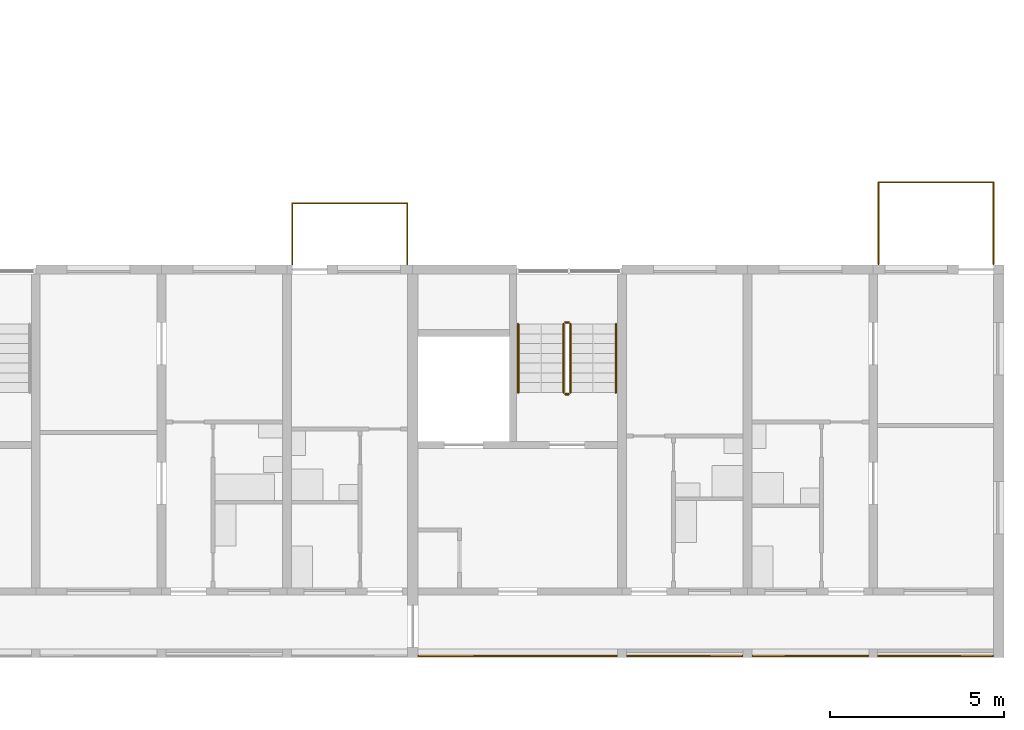
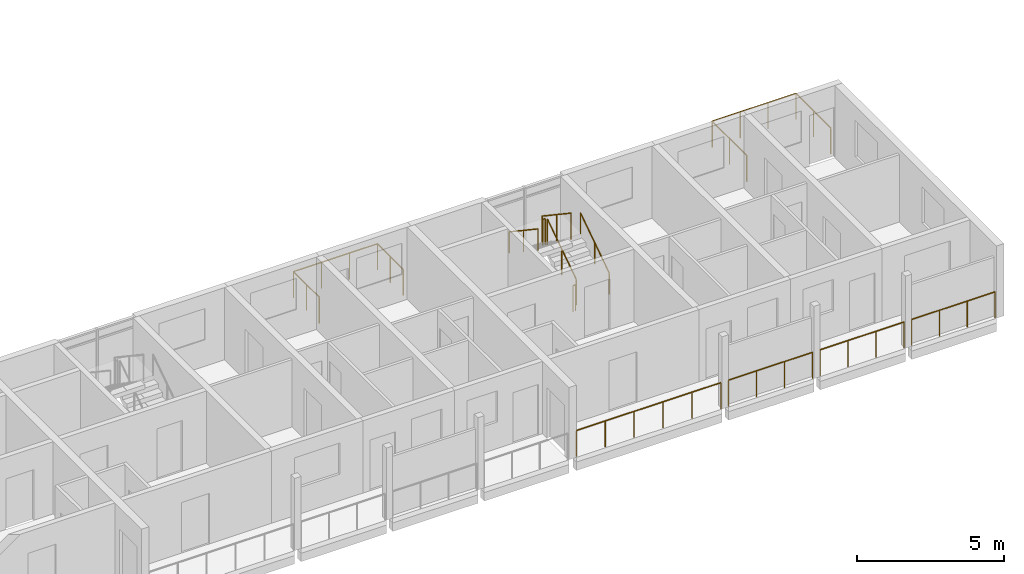
# One storey, part 92 of 100: 12 railings.
"""IFC4 building model written with IfcOpenShell, lengths in metres."""

import ifcopenshell
import ifcopenshell.guid

model = None  # the IFC model being written
_history = None  # IfcOwnerHistory: only IFC2X3 demands one
_inside = {}  # id of a spatial element -> (the spatial element, [elements in it])
_under = {}  # id of a project, library or spatial element -> (it, [spatial elements below it])
_declared = {}  # id of a project -> (the project, [libraries it declares])
_typed = {}  # id of a type object -> (the type object, [elements of that type])
_made_of = {}  # id of a material, layer set ... -> (it, [elements and type objects made of it])


def new_model(schema):
    """Start an empty IFC model of exactly this schema.

    Asked for "IFC4X3", IfcOpenShell would pick the latest addendum, in which some entities
    have other attributes; the version numbers below select the first issue.
    IFC2X3 requires an IfcOwnerHistory on every rooted entity: one is made here for all.
    """
    global model, _history
    if schema == "IFC4X3":
        model = ifcopenshell.file(schema_version=(4, 3, 0, 0))
    else:
        model = ifcopenshell.file(schema=schema)
    _inside.clear()
    _under.clear()
    _declared.clear()
    _typed.clear()
    _made_of.clear()
    _history = None
    if model.schema == "IFC2X3":
        org = make("IfcOrganization", Name="unknown")
        user = make(
            "IfcPersonAndOrganization",
            ThePerson=make("IfcPerson", FamilyName="unknown"),
            TheOrganization=org,
        )
        app = make(
            "IfcApplication",
            ApplicationDeveloper=org,
            Version="unknown",
            ApplicationFullName="unknown",
            ApplicationIdentifier="unknown",
        )
        _history = make(
            "IfcOwnerHistory",
            OwningUser=user,
            OwningApplication=app,
            ChangeAction="ADDED",
            CreationDate=0,
        )
    return model


def make(cls, **values):
    """One entity of the class cls with the attributes given. An attribute that is None is left unset."""
    return model.create_entity(
        cls, **{name: value for name, value in values.items() if value is not None}
    )


def rooted(cls, **values):
    """An entity with a GlobalId (a new one), such as an element, a storey or a relation."""
    return make(cls, GlobalId=ifcopenshell.guid.new(), OwnerHistory=_history, **values)


def si_unit(unit_type, name, prefix=None):
    """IfcSIUnit, for example si_unit("LENGTHUNIT", "METRE", prefix="MILLI")."""
    return make("IfcSIUnit", UnitType=unit_type, Prefix=prefix, Name=name)


def assignment(units):
    """IfcUnitAssignment: the units of a project."""
    return None if units is None else make("IfcUnitAssignment", Units=units)


def point(xyz):
    """IfcCartesianPoint."""
    return None if xyz is None else make("IfcCartesianPoint", Coordinates=xyz)


def direction(xyz):
    """IfcDirection."""
    return None if xyz is None else make("IfcDirection", DirectionRatios=xyz)


def frame(location, z_axis=None, x_axis=None):
    """IfcAxis2Placement3D, a coordinate frame: its origin and axes. An axis left out is left unset."""
    return make(
        "IfcAxis2Placement3D",
        Location=point(location),
        Axis=direction(z_axis),
        RefDirection=direction(x_axis),
    )


def frame_2d(location, x_axis=None):
    """IfcAxis2Placement2D, a coordinate frame in the plane: its origin and x axis."""
    return make(
        "IfcAxis2Placement2D", Location=point(location), RefDirection=direction(x_axis)
    )


def origin():
    """The frame at (0, 0, 0) with its axes left unset."""
    return frame((0.0, 0.0, 0.0))


def origin_2d():
    """The frame at (0, 0) in the plane with its x axis left unset."""
    return frame_2d((0.0, 0.0))


def place(relative_to, where):
    """IfcLocalPlacement: puts the frame where relative to a parent placement (None: the world)."""
    return make(
        "IfcLocalPlacement", PlacementRelTo=relative_to, RelativePlacement=where
    )


def context(
    kind, dimensions, precision=None, world=None, true_north=None, identifier=None
):
    """IfcGeometricRepresentationContext, for example the 3D "Model" context."""
    return make(
        "IfcGeometricRepresentationContext",
        ContextIdentifier=identifier,
        ContextType=kind,
        CoordinateSpaceDimension=dimensions,
        Precision=precision,
        WorldCoordinateSystem=world,
        TrueNorth=true_north,
    )


def subcontext(parent, identifier, kind, view, scale=None):
    """IfcGeometricRepresentationSubContext, for example "Body" below "Model"."""
    return make(
        "IfcGeometricRepresentationSubContext",
        ContextIdentifier=identifier,
        ContextType=kind,
        ParentContext=parent,
        TargetScale=scale,
        TargetView=view,
    )


def project(units=None, contexts=None):
    """IfcProject with its units and contexts."""
    return rooted(
        "IfcProject",
        Name="project",
        RepresentationContexts=contexts,
        UnitsInContext=assignment(units),
    )


def spatial(cls, under=None, at=None, **own):
    """A site, building, storey or space (cls), placed at a placement, below another one or the project."""
    s = rooted(cls, ObjectPlacement=at, **own)
    if under is not None:
        _under.setdefault(under.id(), (under, []))[1].append(s)
    return s


def profile(cls, at=None, kind="AREA", **sizes):
    """A parametric profile (cls). Its sizes go by their IFC names, for example OverallWidth=200.0."""
    return make(cls, ProfileType=kind, Position=at, **sizes)


def circle(**sizes):
    """IfcCircleProfileDef."""
    return profile("IfcCircleProfileDef", **sizes)


def extrude(swept, where, along, depth):
    """IfcExtrudedAreaSolid: the profile swept, set in the frame where, extruded along a direction by depth."""
    return make(
        "IfcExtrudedAreaSolid",
        SweptArea=swept,
        Position=where,
        ExtrudedDirection=direction(along),
        Depth=depth,
    )


def shape(context_of_items, identifier, shape_type, items):
    """IfcShapeRepresentation: the items that make up one representation, for example the "Body"."""
    return make(
        "IfcShapeRepresentation",
        ContextOfItems=context_of_items,
        RepresentationIdentifier=identifier,
        RepresentationType=shape_type,
        Items=items,
    )


def material(Name=None, Category=None):
    """IfcMaterial."""
    return make("IfcMaterial", Name=Name, Category=Category)


def made_of(thing, what):
    """Note that an element or type object is made of a material, layer set ...; save() writes the relation."""
    if what is not None:
        _made_of.setdefault(what.id(), (what, []))[1].append(thing)
    return thing


def type_object(cls, material=None, **own):
    """A type object (cls), such as IfcWallType, which elements share."""
    return made_of(rooted(cls, **own), material)


def element(
    cls,
    number,
    at=None,
    inside=None,
    cuts=None,
    type_object=None,
    material=None,
    context=None,
    identifier="Body",
    shape_type=None,
    held_by="IfcProductDefinitionShape",
    body=None,
    shapes=None,
    **own,
):
    """One element of the class cls, such as IfcWall. Its Tag is "e" and its number.

    at: its placement. inside: the storey or other place that contains it. cuts: it is an
    opening in that element (IfcRelVoidsElement). A single representation is given by context,
    identifier, shape_type and body (its items); several are given by shapes. held_by: the class
    of the entity that holds the representations. save() writes the other relations.
    """
    e = rooted(cls, Tag="e%d" % number, ObjectPlacement=at, **own)
    if body is not None:
        shapes = [shape(context, identifier, shape_type, body)]
    if shapes is not None:
        e.Representation = make(held_by, Representations=shapes)
    if inside is not None:
        _inside.setdefault(inside.id(), (inside, []))[1].append(e)
    if cuts is not None:
        rooted(
            "IfcRelVoidsElement", RelatingBuildingElement=cuts, RelatedOpeningElement=e
        )
    if type_object is not None:
        _typed.setdefault(type_object.id(), (type_object, []))[1].append(e)
    return made_of(e, material)


def aggregate(whole, parts):
    """IfcRelAggregates: a whole, such as a stair, and the parts it consists of."""
    return rooted("IfcRelAggregates", RelatingObject=whole, RelatedObjects=parts)


def save(model, path):
    """Write the relations noted so far, then the file.

    IfcRelAggregates (storeys below a building ...), IfcRelContainedInSpatialStructure (elements
    in a storey), IfcRelDefinesByType, IfcRelAssociatesMaterial and IfcRelDeclares: one each for
    every whole, place, type object, material and project.
    """
    for whole, parts in _under.values():
        aggregate(whole, parts)
    for where, things in _inside.values():
        rooted(
            "IfcRelContainedInSpatialStructure",
            RelatedElements=things,
            RelatingStructure=where,
        )
    for kind, things in _typed.values():
        rooted("IfcRelDefinesByType", RelatedObjects=things, RelatingType=kind)
    for what, things in _made_of.values():
        rooted("IfcRelAssociatesMaterial", RelatedObjects=things, RelatingMaterial=what)
    for by, libraries in _declared.values():
        rooted("IfcRelDeclares", RelatingContext=by, RelatedDefinitions=libraries)
    model.write(path)


model = new_model("IFC4")

# Units and contexts
model_context = context("Model", 3, precision=1e-05, world=origin(), true_north=direction((0.0, 1.0)))
body_context = subcontext(model_context, "Body", "Model", "MODEL_VIEW")
ifc_project = project(units=[si_unit("LENGTHUNIT", "METRE"), si_unit("AREAUNIT", "SQUARE_METRE"), si_unit("VOLUMEUNIT", "CUBIC_METRE"), si_unit("PLANEANGLEUNIT", "RADIAN"), si_unit("MASSUNIT", "GRAM", prefix="KILO")], contexts=[model_context])

# Site, building, storey
site_placement = place(None, origin())
site = spatial("IfcSite", under=ifc_project, at=site_placement, CompositionType="ELEMENT")
building_placement = place(site_placement, origin())
building = spatial("IfcBuilding", under=site, at=building_placement, Name="Ridgestep Commons", CompositionType="ELEMENT")
storey_placement = place(building_placement, frame((0.0, 0.0, 9.0)))
storey = spatial("IfcBuildingStorey", under=building, at=storey_placement, Name="L03", CompositionType="ELEMENT", Elevation=9.0)

# Railings
ifc_material_1 = material(Name="Structural steel S355JR", Category="steel")
railing_type_1 = type_object("IfcRailingType", Name="Guard 1100", PredefinedType="GUARDRAIL", material=ifc_material_1)
railing_1_placement = place(storey_placement, frame((230.970947265625, 11.800048828125, 0.0)))
element("IfcRailing", 1, at=railing_1_placement, inside=storey, type_object=railing_type_1, Name="Gallery guard D 03.21", PredefinedType="GUARDRAIL", context=body_context, shape_type="SweptSolid", body=[
    extrude(circle(Radius=0.02392578125, at=origin_2d()), frame((0.0, 0.0, 1.076171875), z_axis=(1.0, 0.0, 0.0), x_axis=(0.0, 1.0, 0.0)), (0.0, 0.0, 1.0), 5.68310546875),
    extrude(circle(Radius=0.02099609375, at=origin_2d()), origin(), (0.0, 0.0, 1.0), 1.052001953125),
    extrude(circle(Radius=0.02099609375, at=origin_2d()), frame((1.13671875, 0.0, 0.0)), (0.0, 0.0, 1.0), 1.052001953125),
    extrude(circle(Radius=0.02099609375, at=origin_2d()), frame((2.273193359375, 0.0, 0.0)), (0.0, 0.0, 1.0), 1.052001953125),
    extrude(circle(Radius=0.02099609375, at=origin_2d()), frame((3.409912109375, 0.0, 0.0)), (0.0, 0.0, 1.0), 1.052001953125),
    extrude(circle(Radius=0.02099609375, at=origin_2d()), frame((4.54638671875, 0.0, 0.0)), (0.0, 0.0, 1.0), 1.052001953125),
    extrude(circle(Radius=0.02099609375, at=origin_2d()), frame((5.68310546875, 0.0, 0.0)), (0.0, 0.0, 1.0), 1.052001953125),
])
railing_2_placement = place(storey_placement, frame((236.946044921875, 11.800048828125, 0.0)))
element("IfcRailing", 2, at=railing_2_placement, inside=storey, type_object=railing_type_1, Name="Gallery guard D 03.22", PredefinedType="GUARDRAIL", context=body_context, shape_type="SweptSolid", body=[
    extrude(circle(Radius=0.02392578125, at=origin_2d()), frame((0.0, 0.0, 1.076171875), z_axis=(1.0, 0.0, 0.0), x_axis=(0.0, 1.0, 0.0)), (0.0, 0.0, 1.0), 3.307861328125),
    extrude(circle(Radius=0.02099609375, at=origin_2d()), origin(), (0.0, 0.0, 1.0), 1.052001953125),
    extrude(circle(Radius=0.02099609375, at=origin_2d()), frame((1.1025390625, 0.0, 0.0)), (0.0, 0.0, 1.0), 1.052001953125),
    extrude(circle(Radius=0.02099609375, at=origin_2d()), frame((2.205322265625, 0.0, 0.0)), (0.0, 0.0, 1.0), 1.052001953125),
    extrude(circle(Radius=0.02099609375, at=origin_2d()), frame((3.307861328125, 0.0, 0.0)), (0.0, 0.0, 1.0), 1.052001953125),
])
railing_3_placement = place(storey_placement, frame((240.5458984375, 11.800048828125, 0.0)))
element("IfcRailing", 3, at=railing_3_placement, inside=storey, type_object=railing_type_1, Name="Gallery guard D 03.23", PredefinedType="GUARDRAIL", context=body_context, shape_type="SweptSolid", body=[
    extrude(circle(Radius=0.02392578125, at=origin_2d()), frame((0.0, 0.0, 1.076171875), z_axis=(1.0, 0.0, 0.0), x_axis=(0.0, 1.0, 0.0)), (0.0, 0.0, 1.0), 3.30810546875),
    extrude(circle(Radius=0.02099609375, at=origin_2d()), origin(), (0.0, 0.0, 1.0), 1.052001953125),
    extrude(circle(Radius=0.02099609375, at=origin_2d()), frame((1.102783203125, 0.0, 0.0)), (0.0, 0.0, 1.0), 1.052001953125),
    extrude(circle(Radius=0.02099609375, at=origin_2d()), frame((2.205322265625, 0.0, 0.0)), (0.0, 0.0, 1.0), 1.052001953125),
    extrude(circle(Radius=0.02099609375, at=origin_2d()), frame((3.30810546875, 0.0, 0.0)), (0.0, 0.0, 1.0), 1.052001953125),
])
railing_4_placement = place(storey_placement, frame((244.14599609375, 11.800048828125, 0.0)))
element("IfcRailing", 4, at=railing_4_placement, inside=storey, type_object=railing_type_1, Name="Gallery guard D 03.24", PredefinedType="GUARDRAIL", context=body_context, shape_type="SweptSolid", body=[
    extrude(circle(Radius=0.02392578125, at=origin_2d()), frame((0.0, 0.0, 1.076171875), z_axis=(1.0, 0.0, 0.0), x_axis=(0.0, 1.0, 0.0)), (0.0, 0.0, 1.0), 3.282958984375),
    extrude(circle(Radius=0.02099609375, at=origin_2d()), origin(), (0.0, 0.0, 1.0), 1.052001953125),
    extrude(circle(Radius=0.02099609375, at=origin_2d()), frame((1.09423828125, 0.0, 0.0)), (0.0, 0.0, 1.0), 1.052001953125),
    extrude(circle(Radius=0.02099609375, at=origin_2d()), frame((2.188720703125, 0.0, 0.0)), (0.0, 0.0, 1.0), 1.052001953125),
    extrude(circle(Radius=0.02099609375, at=origin_2d()), frame((3.282958984375, 0.0, 0.0)), (0.0, 0.0, 1.0), 1.052001953125),
])
ifc_material_2 = material(Name="Structural steel S355JR", Category="steel")
railing_type_2 = type_object("IfcRailingType", Name="Stair guard 1100", PredefinedType="GUARDRAIL", material=ifc_material_2)
railing_5_placement = place(storey_placement, frame((235.324951171875, 19.35009765625, 0.1875)))
element("IfcRailing", 5, at=railing_5_placement, inside=storey, type_object=railing_type_2, Name="L03 D6C stair guard 1", PredefinedType="GUARDRAIL", context=body_context, shape_type="SweptSolid", body=[
    extrude(circle(Radius=0.02392578125, at=origin_2d()), frame((0.0, 0.0, 1.076171875), z_axis=(0.0, 0.830902050051, 0.556418712142), x_axis=(-1.0, 0.0, 0.0)), (0.0, 0.0, 1.0), 2.35888671875),
    extrude(circle(Radius=0.02099609375, at=origin_2d()), origin(), (0.0, 0.0, 1.0), 1.052001953125),
    extrude(circle(Radius=0.02099609375, at=origin_2d()), frame((0.0, 0.97998046875, 0.65625)), (0.0, 0.0, 1.0), 1.052001953125),
    extrude(circle(Radius=0.02099609375, at=origin_2d()), frame((0.0, 1.9599609375, 1.3125)), (0.0, 0.0, 1.0), 1.052001953125),
])
railing_6_placement = place(storey_placement, frame((235.27490234375, 21.360107421875, 1.5)))
element("IfcRailing", 6, at=railing_6_placement, inside=storey, type_object=railing_type_2, Name="L03 D6C stair guard 2", PredefinedType="GUARDRAIL", context=body_context, shape_type="SweptSolid", body=[
    extrude(circle(Radius=0.02392578125, at=origin_2d()), frame((0.0, 0.0, 1.076171875), z_axis=(-1.0, 0.0, 0.0), x_axis=(0.0, -1.0, 0.0)), (0.0, 0.0, 1.0), 0.099853515625),
    extrude(circle(Radius=0.02099609375, at=origin_2d()), origin(), (0.0, 0.0, 1.0), 1.052001953125),
    extrude(circle(Radius=0.02099609375, at=origin_2d()), frame((-0.099853515625, 0.0, 0.0)), (0.0, 0.0, 1.0), 1.052001953125),
])
railing_7_placement = place(storey_placement, frame((235.125, 21.31005859375, 1.6875)))
element("IfcRailing", 7, at=railing_7_placement, inside=storey, type_object=railing_type_2, Name="L03 D6C stair guard 3", PredefinedType="GUARDRAIL", context=body_context, shape_type="SweptSolid", body=[
    extrude(circle(Radius=0.02392578125, at=origin_2d()), frame((0.0, 0.0, 1.076171875), z_axis=(0.0, -0.830902050051, 0.556418712142), x_axis=(1.0, 0.0, 0.0)), (0.0, 0.0, 1.0), 2.35888671875),
    extrude(circle(Radius=0.02099609375, at=origin_2d()), origin(), (0.0, 0.0, 1.0), 1.052001953125),
    extrude(circle(Radius=0.02099609375, at=origin_2d()), frame((0.0, -0.97998046875, 0.65625)), (0.0, 0.0, 1.0), 1.052001953125),
    extrude(circle(Radius=0.02099609375, at=origin_2d()), frame((0.0, -1.9599609375, 1.3125)), (0.0, 0.0, 1.0), 1.052001953125),
])
railing_8_placement = place(storey_placement, frame((235.27490234375, 19.300048828125, 0.0)))
element("IfcRailing", 8, at=railing_8_placement, inside=storey, type_object=railing_type_2, Name="L03 D6C stair guard 4", PredefinedType="GUARDRAIL", context=body_context, shape_type="SweptSolid", body=[
    extrude(circle(Radius=0.02392578125, at=origin_2d()), frame((0.0, 0.0, 1.076171875), z_axis=(-1.0, 0.0, 0.0), x_axis=(0.0, -1.0, 0.0)), (0.0, 0.0, 1.0), 0.099853515625),
    extrude(circle(Radius=0.02099609375, at=origin_2d()), origin(), (0.0, 0.0, 1.0), 1.052001953125),
    extrude(circle(Radius=0.02099609375, at=origin_2d()), frame((-0.099853515625, 0.0, 0.0)), (0.0, 0.0, 1.0), 1.052001953125),
])
ifc_material_3 = material(Name="Structural steel S355JR", Category="steel")
railing_type_3 = type_object("IfcRailingType", Name="Stair handrail 900", PredefinedType="HANDRAIL", material=ifc_material_3)
railing_9_placement = place(storey_placement, frame((236.625, 19.35009765625, 0.1875)))
element("IfcRailing", 9, at=railing_9_placement, inside=storey, type_object=railing_type_3, Name="L03 D6C stair handrail 1", PredefinedType="HANDRAIL", context=body_context, shape_type="SweptSolid", body=[
    extrude(circle(Radius=0.02392578125, at=origin_2d()), frame((0.0, 0.0, 0.8759765625), z_axis=(0.0, 0.830902050051, 0.556418712142), x_axis=(-1.0, 0.0, 0.0)), (0.0, 0.0, 1.0), 2.35888671875),
    extrude(circle(Radius=0.02099609375, at=origin_2d()), origin(), (0.0, 0.0, 1.0), 0.851806640625),
    extrude(circle(Radius=0.02099609375, at=origin_2d()), frame((0.0, 0.97998046875, 0.65625)), (0.0, 0.0, 1.0), 0.851806640625),
    extrude(circle(Radius=0.02099609375, at=origin_2d()), frame((0.0, 1.9599609375, 1.3125)), (0.0, 0.0, 1.0), 0.851806640625),
])
railing_10_placement = place(storey_placement, frame((233.824951171875, 21.31005859375, 1.6875)))
element("IfcRailing", 10, at=railing_10_placement, inside=storey, type_object=railing_type_3, Name="L03 D6C stair handrail 2", PredefinedType="HANDRAIL", context=body_context, shape_type="SweptSolid", body=[
    extrude(circle(Radius=0.02392578125, at=origin_2d()), frame((0.0, 0.0, 0.8759765625), z_axis=(0.0, -0.830902050051, 0.556418712142), x_axis=(1.0, 0.0, 0.0)), (0.0, 0.0, 1.0), 2.35888671875),
    extrude(circle(Radius=0.02099609375, at=origin_2d()), origin(), (0.0, 0.0, 1.0), 0.851806640625),
    extrude(circle(Radius=0.02099609375, at=origin_2d()), frame((0.0, -0.97998046875, 0.65625)), (0.0, 0.0, 1.0), 0.851806640625),
    extrude(circle(Radius=0.02099609375, at=origin_2d()), frame((0.0, -1.9599609375, 1.3125)), (0.0, 0.0, 1.0), 0.851806640625),
])
ifc_material_4 = material(Name="Weathering steel S355J2W", Category="steel")
railing_type_4 = type_object("IfcRailingType", Name="Tray guard 1100", PredefinedType="GUARDRAIL", material=ifc_material_4)
railing_11_placement = place(storey_placement, frame((244.15087890625, 23.02099609375, 0.0)))
element("IfcRailing", 11, at=railing_11_placement, inside=storey, type_object=railing_type_4, Name="Tray guard D6T1-03", PredefinedType="GUARDRAIL", context=body_context, shape_type="SweptSolid", body=[
    extrude(circle(Radius=0.02392578125, at=origin_2d()), frame((0.0, 0.0, 1.076171875), z_axis=(0.0, 1.0, 0.0), x_axis=(-1.0, 0.0, 0.0)), (0.0, 0.0, 1.0), 2.35791015625),
    extrude(circle(Radius=0.02392578125, at=origin_2d()), frame((0.0, 2.35791015625, 1.076171875), z_axis=(1.0, 0.0, 0.0), x_axis=(0.0, 1.0, 0.0)), (0.0, 0.0, 1.0), 3.298095703125),
    extrude(circle(Radius=0.02392578125, at=origin_2d()), frame((3.298095703125, 2.35791015625, 1.076171875), z_axis=(0.0, -1.0, 0.0), x_axis=(1.0, 0.0, 0.0)), (0.0, 0.0, 1.0), 2.35791015625),
    extrude(circle(Radius=0.02099609375, at=origin_2d()), origin(), (0.0, 0.0, 1.0), 1.052001953125),
    extrude(circle(Radius=0.02099609375, at=origin_2d()), frame((0.0, 1.178955078125, 0.0)), (0.0, 0.0, 1.0), 1.052001953125),
    extrude(circle(Radius=0.02099609375, at=origin_2d()), frame((0.0, 2.35791015625, 0.0)), (0.0, 0.0, 1.0), 1.052001953125),
    extrude(circle(Radius=0.02099609375, at=origin_2d()), frame((1.099365234375, 2.35791015625, 0.0)), (0.0, 0.0, 1.0), 1.052001953125),
    extrude(circle(Radius=0.02099609375, at=origin_2d()), frame((2.19873046875, 2.35791015625, 0.0)), (0.0, 0.0, 1.0), 1.052001953125),
    extrude(circle(Radius=0.02099609375, at=origin_2d()), frame((3.298095703125, 2.35791015625, 0.0)), (0.0, 0.0, 1.0), 1.052001953125),
    extrude(circle(Radius=0.02099609375, at=origin_2d()), frame((3.298095703125, 1.178955078125, 0.0)), (0.0, 0.0, 1.0), 1.052001953125),
    extrude(circle(Radius=0.02099609375, at=origin_2d()), frame((3.298095703125, 0.0, 0.0)), (0.0, 0.0, 1.0), 1.052001953125),
])
railing_12_placement = place(storey_placement, frame((227.35107421875, 23.02099609375, 0.0)))
element("IfcRailing", 12, at=railing_12_placement, inside=storey, type_object=railing_type_4, Name="Tray guard D5T1-03", PredefinedType="GUARDRAIL", context=body_context, shape_type="SweptSolid", body=[
    extrude(circle(Radius=0.02392578125, at=origin_2d()), frame((0.0, 0.0, 1.076171875), z_axis=(0.0, 1.0, 0.0), x_axis=(-1.0, 0.0, 0.0)), (0.0, 0.0, 1.0), 1.758056640625),
    extrude(circle(Radius=0.02392578125, at=origin_2d()), frame((0.0, 1.758056640625, 1.076171875), z_axis=(1.0, 0.0, 0.0), x_axis=(0.0, 1.0, 0.0)), (0.0, 0.0, 1.0), 3.2978515625),
    extrude(circle(Radius=0.02392578125, at=origin_2d()), frame((3.2978515625, 1.758056640625, 1.076171875), z_axis=(0.0, -1.0, 0.0), x_axis=(1.0, 0.0, 0.0)), (0.0, 0.0, 1.0), 1.758056640625),
    extrude(circle(Radius=0.02099609375, at=origin_2d()), origin(), (0.0, 0.0, 1.0), 1.052001953125),
    extrude(circle(Radius=0.02099609375, at=origin_2d()), frame((0.0, 0.87890625, 0.0)), (0.0, 0.0, 1.0), 1.052001953125),
    extrude(circle(Radius=0.02099609375, at=origin_2d()), frame((0.0, 1.758056640625, 0.0)), (0.0, 0.0, 1.0), 1.052001953125),
    extrude(circle(Radius=0.02099609375, at=origin_2d()), frame((1.099365234375, 1.758056640625, 0.0)), (0.0, 0.0, 1.0), 1.052001953125),
    extrude(circle(Radius=0.02099609375, at=origin_2d()), frame((2.198486328125, 1.758056640625, 0.0)), (0.0, 0.0, 1.0), 1.052001953125),
    extrude(circle(Radius=0.02099609375, at=origin_2d()), frame((3.2978515625, 1.758056640625, 0.0)), (0.0, 0.0, 1.0), 1.052001953125),
    extrude(circle(Radius=0.02099609375, at=origin_2d()), frame((3.2978515625, 0.87890625, 0.0)), (0.0, 0.0, 1.0), 1.052001953125),
    extrude(circle(Radius=0.02099609375, at=origin_2d()), frame((3.2978515625, 0.0, 0.0)), (0.0, 0.0, 1.0), 1.052001953125),
])

save(model, "model.ifc")
